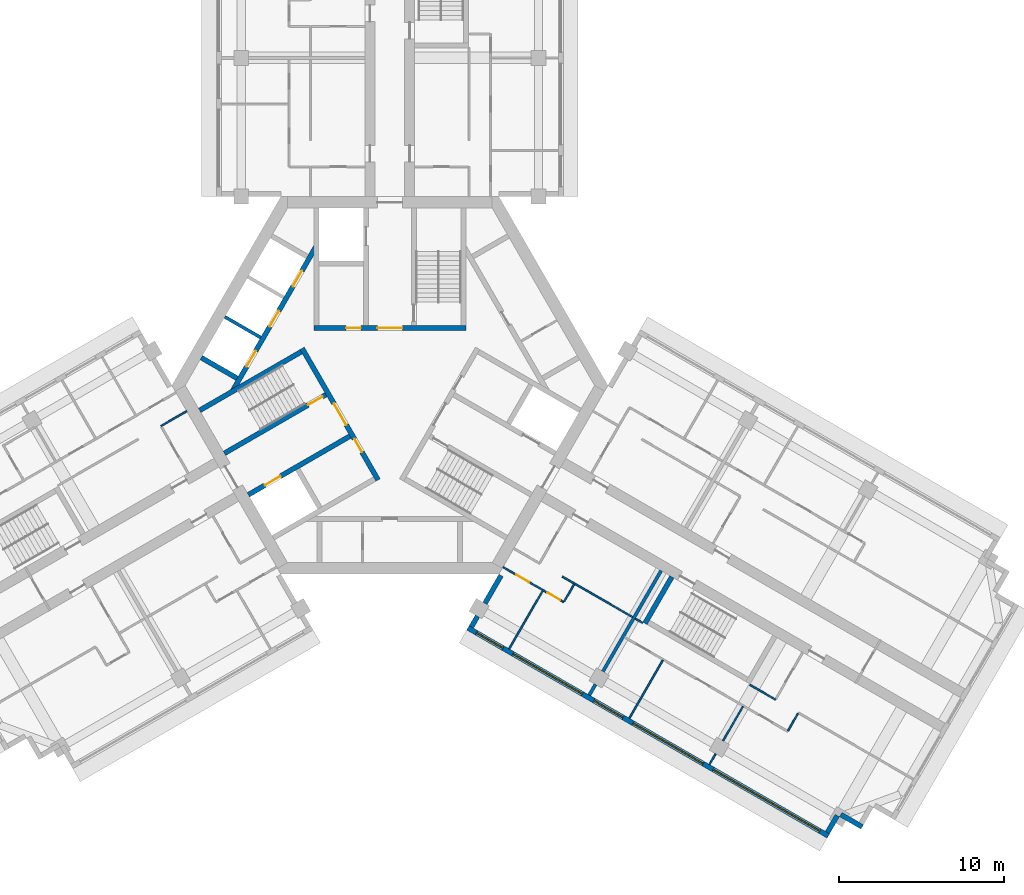
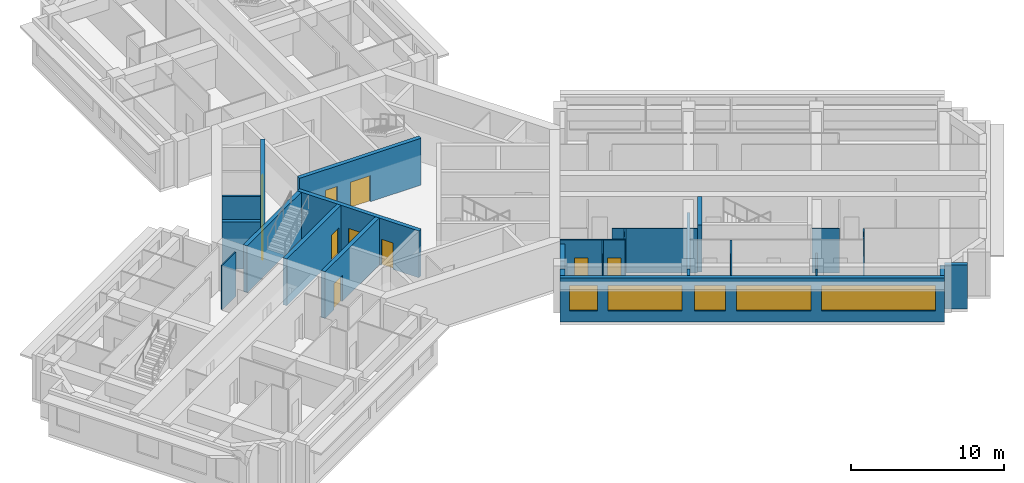
# One storey, part 4 of 10: 27 walls, 11 doors, 5 windows, 16 openings.
"""IFC4 building model written with IfcOpenShell, lengths in metres."""

import ifcopenshell
import ifcopenshell.guid

model = None  # the IFC model being written
_history = None  # IfcOwnerHistory: only IFC2X3 demands one
_inside = {}  # id of a spatial element -> (the spatial element, [elements in it])
_under = {}  # id of a project, library or spatial element -> (it, [spatial elements below it])
_declared = {}  # id of a project -> (the project, [libraries it declares])
_typed = {}  # id of a type object -> (the type object, [elements of that type])
_made_of = {}  # id of a material, layer set ... -> (it, [elements and type objects made of it])


def new_model(schema):
    """Start an empty IFC model of exactly this schema.

    Asked for "IFC4X3", IfcOpenShell would pick the latest addendum, in which some entities
    have other attributes; the version numbers below select the first issue.
    IFC2X3 requires an IfcOwnerHistory on every rooted entity: one is made here for all.
    """
    global model, _history
    if schema == "IFC4X3":
        model = ifcopenshell.file(schema_version=(4, 3, 0, 0))
    else:
        model = ifcopenshell.file(schema=schema)
    _inside.clear()
    _under.clear()
    _declared.clear()
    _typed.clear()
    _made_of.clear()
    _history = None
    if model.schema == "IFC2X3":
        org = make("IfcOrganization", Name="unknown")
        user = make(
            "IfcPersonAndOrganization",
            ThePerson=make("IfcPerson", FamilyName="unknown"),
            TheOrganization=org,
        )
        app = make(
            "IfcApplication",
            ApplicationDeveloper=org,
            Version="unknown",
            ApplicationFullName="unknown",
            ApplicationIdentifier="unknown",
        )
        _history = make(
            "IfcOwnerHistory",
            OwningUser=user,
            OwningApplication=app,
            ChangeAction="ADDED",
            CreationDate=0,
        )
    return model


def make(cls, **values):
    """One entity of the class cls with the attributes given. An attribute that is None is left unset."""
    return model.create_entity(
        cls, **{name: value for name, value in values.items() if value is not None}
    )


def rooted(cls, **values):
    """An entity with a GlobalId (a new one), such as an element, a storey or a relation."""
    return make(cls, GlobalId=ifcopenshell.guid.new(), OwnerHistory=_history, **values)


def si_unit(unit_type, name, prefix=None):
    """IfcSIUnit, for example si_unit("LENGTHUNIT", "METRE", prefix="MILLI")."""
    return make("IfcSIUnit", UnitType=unit_type, Prefix=prefix, Name=name)


def assignment(units):
    """IfcUnitAssignment: the units of a project."""
    return None if units is None else make("IfcUnitAssignment", Units=units)


def point(xyz):
    """IfcCartesianPoint."""
    return None if xyz is None else make("IfcCartesianPoint", Coordinates=xyz)


def direction(xyz):
    """IfcDirection."""
    return None if xyz is None else make("IfcDirection", DirectionRatios=xyz)


def frame(location, z_axis=None, x_axis=None):
    """IfcAxis2Placement3D, a coordinate frame: its origin and axes. An axis left out is left unset."""
    return make(
        "IfcAxis2Placement3D",
        Location=point(location),
        Axis=direction(z_axis),
        RefDirection=direction(x_axis),
    )


def frame_2d(location, x_axis=None):
    """IfcAxis2Placement2D, a coordinate frame in the plane: its origin and x axis."""
    return make(
        "IfcAxis2Placement2D", Location=point(location), RefDirection=direction(x_axis)
    )


def origin():
    """The frame at (0, 0, 0) with its axes left unset."""
    return frame((0.0, 0.0, 0.0))


def place(relative_to, where):
    """IfcLocalPlacement: puts the frame where relative to a parent placement (None: the world)."""
    return make(
        "IfcLocalPlacement", PlacementRelTo=relative_to, RelativePlacement=where
    )


def context(
    kind, dimensions, precision=None, world=None, true_north=None, identifier=None
):
    """IfcGeometricRepresentationContext, for example the 3D "Model" context."""
    return make(
        "IfcGeometricRepresentationContext",
        ContextIdentifier=identifier,
        ContextType=kind,
        CoordinateSpaceDimension=dimensions,
        Precision=precision,
        WorldCoordinateSystem=world,
        TrueNorth=true_north,
    )


def subcontext(parent, identifier, kind, view, scale=None):
    """IfcGeometricRepresentationSubContext, for example "Body" below "Model"."""
    return make(
        "IfcGeometricRepresentationSubContext",
        ContextIdentifier=identifier,
        ContextType=kind,
        ParentContext=parent,
        TargetScale=scale,
        TargetView=view,
    )


def project(units=None, contexts=None):
    """IfcProject with its units and contexts."""
    return rooted(
        "IfcProject",
        Name="project",
        RepresentationContexts=contexts,
        UnitsInContext=assignment(units),
    )


def spatial(cls, under=None, at=None, **own):
    """A site, building, storey or space (cls), placed at a placement, below another one or the project."""
    s = rooted(cls, ObjectPlacement=at, **own)
    if under is not None:
        _under.setdefault(under.id(), (under, []))[1].append(s)
    return s


def profile(cls, at=None, kind="AREA", **sizes):
    """A parametric profile (cls). Its sizes go by their IFC names, for example OverallWidth=200.0."""
    return make(cls, ProfileType=kind, Position=at, **sizes)


def rectangle(**sizes):
    """IfcRectangleProfileDef."""
    return profile("IfcRectangleProfileDef", **sizes)


def extrude(swept, where, along, depth):
    """IfcExtrudedAreaSolid: the profile swept, set in the frame where, extruded along a direction by depth."""
    return make(
        "IfcExtrudedAreaSolid",
        SweptArea=swept,
        Position=where,
        ExtrudedDirection=direction(along),
        Depth=depth,
    )


def shape(context_of_items, identifier, shape_type, items):
    """IfcShapeRepresentation: the items that make up one representation, for example the "Body"."""
    return make(
        "IfcShapeRepresentation",
        ContextOfItems=context_of_items,
        RepresentationIdentifier=identifier,
        RepresentationType=shape_type,
        Items=items,
    )


def material(Name=None, Category=None):
    """IfcMaterial."""
    return make("IfcMaterial", Name=Name, Category=Category)


def layer(
    of_material, thickness, ventilated=None, Name=None, Category=None, Priority=None
):
    """IfcMaterialLayer: one layer of a wall or slab, of a material (None: an air gap)."""
    return make(
        "IfcMaterialLayer",
        Material=of_material,
        LayerThickness=thickness,
        IsVentilated=ventilated,
        Name=Name,
        Category=Category,
        Priority=Priority,
    )


def layer_set(layers, Name=None):
    """IfcMaterialLayerSet."""
    return make("IfcMaterialLayerSet", MaterialLayers=layers, LayerSetName=Name)


def made_of(thing, what):
    """Note that an element or type object is made of a material, layer set ...; save() writes the relation."""
    if what is not None:
        _made_of.setdefault(what.id(), (what, []))[1].append(thing)
    return thing


def type_object(cls, material=None, **own):
    """A type object (cls), such as IfcWallType, which elements share."""
    return made_of(rooted(cls, **own), material)


def element(
    cls,
    number,
    at=None,
    inside=None,
    cuts=None,
    type_object=None,
    material=None,
    context=None,
    identifier="Body",
    shape_type=None,
    held_by="IfcProductDefinitionShape",
    body=None,
    shapes=None,
    **own,
):
    """One element of the class cls, such as IfcWall. Its Tag is "e" and its number.

    at: its placement. inside: the storey or other place that contains it. cuts: it is an
    opening in that element (IfcRelVoidsElement). A single representation is given by context,
    identifier, shape_type and body (its items); several are given by shapes. held_by: the class
    of the entity that holds the representations. save() writes the other relations.
    """
    e = rooted(cls, Tag="e%d" % number, ObjectPlacement=at, **own)
    if body is not None:
        shapes = [shape(context, identifier, shape_type, body)]
    if shapes is not None:
        e.Representation = make(held_by, Representations=shapes)
    if inside is not None:
        _inside.setdefault(inside.id(), (inside, []))[1].append(e)
    if cuts is not None:
        rooted(
            "IfcRelVoidsElement", RelatingBuildingElement=cuts, RelatedOpeningElement=e
        )
    if type_object is not None:
        _typed.setdefault(type_object.id(), (type_object, []))[1].append(e)
    return made_of(e, material)


def fill(opening, filler):
    """IfcRelFillsElement: the door or window that sits in an opening."""
    return rooted(
        "IfcRelFillsElement",
        RelatingOpeningElement=opening,
        RelatedBuildingElement=filler,
    )


def aggregate(whole, parts):
    """IfcRelAggregates: a whole, such as a stair, and the parts it consists of."""
    return rooted("IfcRelAggregates", RelatingObject=whole, RelatedObjects=parts)


def save(model, path):
    """Write the relations noted so far, then the file.

    IfcRelAggregates (storeys below a building ...), IfcRelContainedInSpatialStructure (elements
    in a storey), IfcRelDefinesByType, IfcRelAssociatesMaterial and IfcRelDeclares: one each for
    every whole, place, type object, material and project.
    """
    for whole, parts in _under.values():
        aggregate(whole, parts)
    for where, things in _inside.values():
        rooted(
            "IfcRelContainedInSpatialStructure",
            RelatedElements=things,
            RelatingStructure=where,
        )
    for kind, things in _typed.values():
        rooted("IfcRelDefinesByType", RelatedObjects=things, RelatingType=kind)
    for what, things in _made_of.values():
        rooted("IfcRelAssociatesMaterial", RelatedObjects=things, RelatingMaterial=what)
    for by, libraries in _declared.values():
        rooted("IfcRelDeclares", RelatingContext=by, RelatedDefinitions=libraries)
    model.write(path)


model = new_model("IFC4")

# Units and contexts
model_context = context("Model", 3, precision=1e-05, world=origin(), true_north=direction((0.0, 1.0)))
body_context = subcontext(model_context, "Body", "Model", "MODEL_VIEW")
ifc_project = project(units=[si_unit("LENGTHUNIT", "METRE"), si_unit("AREAUNIT", "SQUARE_METRE"), si_unit("VOLUMEUNIT", "CUBIC_METRE"), si_unit("PLANEANGLEUNIT", "RADIAN"), si_unit("MASSUNIT", "GRAM", prefix="KILO")], contexts=[model_context])

# Site, building, storey
site_placement = place(None, origin())
site = spatial("IfcSite", under=ifc_project, at=site_placement, CompositionType="ELEMENT")
building_placement = place(site_placement, origin())
building = spatial("IfcBuilding", under=site, at=building_placement, Name="Impinga Residences", CompositionType="ELEMENT")
storey_placement = place(building_placement, frame((0.0, 0.0, 222.25)))
storey = spatial("IfcBuildingStorey", under=building, at=storey_placement, Name="L55", CompositionType="ELEMENT", Elevation=222.25)

# Walls
ifc_material_1 = material(Name="Terracotta rainscreen on blockwork", Category="masonry")
ifc_layer_1 = layer(ifc_material_1, 0.300048828125)
ifc_layer_set_1 = layer_set([ifc_layer_1], Name="EW1 external wall, terracotta rainscreen on blockwork 300")
wall_type_1 = type_object("IfcWallType", Name="EW1 external wall, terracotta rainscreen on blockwork 300", PredefinedType="SOLIDWALL", material=ifc_layer_set_1)
wall_1_placement = place(storey_placement, frame((28.597900390625, -26.72998046875, 0.0), z_axis=(0.0, 0.0, 1.0), x_axis=(-0.866031096941, 0.499990139034, 0.0)))
element("IfcWall", 1, at=wall_1_placement, inside=storey, type_object=wall_type_1, Name="External wall EW1 L55", PredefinedType="SOLIDWALL", context=body_context, shape_type="SweptSolid", body=[
    extrude(rectangle(XDim=1.5, YDim=0.300048828125, at=frame_2d((0.75, 0.0))), origin(), (0.0, 0.0, 1.0), 3.530029296875),
])
wall_2_placement = place(storey_placement, frame((27.091552734375, -26.039306640625, 0.0), z_axis=(0.0, 0.0, 1.0), x_axis=(-0.500093796661, -0.865971243484, 0.0)))
element("IfcWall", 2, at=wall_2_placement, inside=storey, type_object=wall_type_1, Name="External wall EW1 L55", PredefinedType="SOLIDWALL", context=body_context, shape_type="SweptSolid", body=[
    extrude(rectangle(XDim=1.195068359375, YDim=0.300048828125, at=frame_2d((0.59765625, 0.0))), origin(), (0.0, 0.0, 1.0), 3.530029296875),
])

# Wall, openings, windows
wall_3_placement = place(storey_placement, frame((26.548828125, -27.279052734375, 0.0), z_axis=(0.0, 0.0, 1.0), x_axis=(-0.866026832479, 0.499997525421, 0.0)))
wall_3 = element("IfcWall", 3, at=wall_3_placement, inside=storey, type_object=wall_type_1, Name="External wall EW1 L55", PredefinedType="SOLIDWALL", context=body_context, shape_type="SweptSolid", body=[
    extrude(rectangle(XDim=25.199951171875, YDim=0.300048828125, at=frame_2d((12.60009765625, 0.0))), origin(), (0.0, 0.0, 1.0), 3.530029296875),
])
opening_1_placement = place(wall_3_placement, frame((0.60009765625, 0.0, 0.89990234375)))
opening_1 = element("IfcOpeningElement", 4, at=opening_1_placement, cuts=wall_3, Name="Opening W7", PredefinedType="OPENING", context=body_context, shape_type="SweptSolid", body=[
    extrude(rectangle(XDim=7.449951171875, YDim=2.050048828125, at=frame_2d((3.72509765625, 1.02490234375))), frame((0.0, 0.159912109375, 0.0), z_axis=(0.0, -1.0, 0.0), x_axis=(1.0, 0.0, 0.0)), (0.0, 0.0, 1.0), 0.320068359375),
])
opening_2_placement = place(wall_3_placement, frame((8.75, 0.0, 0.89990234375)))
opening_2 = element("IfcOpeningElement", 5, at=opening_2_placement, cuts=wall_3, Name="Opening W16", PredefinedType="OPENING", context=body_context, shape_type="SweptSolid", body=[
    extrude(rectangle(XDim=4.89990234375, YDim=2.050048828125, at=frame_2d((2.449951171875, 1.02490234375))), frame((0.0, 0.159912109375, 0.0), z_axis=(0.0, -1.0, 0.0), x_axis=(1.0, 0.0, 0.0)), (0.0, 0.0, 1.0), 0.320068359375),
])
opening_3_placement = place(wall_3_placement, frame((14.35009765625, 0.0, 0.89990234375)))
opening_3 = element("IfcOpeningElement", 6, at=opening_3_placement, cuts=wall_3, Name="Opening W14", PredefinedType="OPENING", context=body_context, shape_type="SweptSolid", body=[
    extrude(rectangle(XDim=2.050048828125, YDim=2.050048828125, at=frame_2d((1.02490234375, 1.02490234375))), frame((0.0, 0.159912109375, 0.0), z_axis=(0.0, -1.0, 0.0), x_axis=(1.0, 0.0, 0.0)), (0.0, 0.0, 1.0), 0.320068359375),
])
opening_4_placement = place(wall_3_placement, frame((17.199951171875, 0.0, 0.89990234375)))
opening_4 = element("IfcOpeningElement", 7, at=opening_4_placement, cuts=wall_3, Name="Opening W6", PredefinedType="OPENING", context=body_context, shape_type="SweptSolid", body=[
    extrude(rectangle(XDim=4.85009765625, YDim=2.050048828125, at=frame_2d((2.425048828125, 1.02490234375))), frame((0.0, 0.159912109375, 0.0), z_axis=(0.0, -1.0, 0.0), x_axis=(1.0, 0.0, 0.0)), (0.0, 0.0, 1.0), 0.320068359375),
])
opening_5_placement = place(wall_3_placement, frame((22.75, 0.0, 0.89990234375)))
opening_5 = element("IfcOpeningElement", 8, at=opening_5_placement, cuts=wall_3, Name="Opening W15", PredefinedType="OPENING", context=body_context, shape_type="SweptSolid", body=[
    extrude(rectangle(XDim=1.85009765625, YDim=2.050048828125, at=frame_2d((0.925048828125, 1.02490234375))), frame((0.0, 0.159912109375, 0.0), z_axis=(0.0, -1.0, 0.0), x_axis=(1.0, 0.0, 0.0)), (0.0, 0.0, 1.0), 0.320068359375),
])
ifc_material_2 = material(Name="Aluminium window, clear double glazing", Category="aluminium")
window_type_1 = type_object("IfcWindowType", Name="W14 ribbon window 2050x2050", PartitioningType="SINGLE_PANEL", PredefinedType="WINDOW", material=ifc_material_2)
window_1_placement = place(opening_3_placement, origin())
window_1 = element("IfcWindow", 9, at=window_1_placement, inside=storey, type_object=window_type_1, Name="Window L55", OverallHeight=2.050048828125, OverallWidth=2.050048828125, PartitioningType="SINGLE_PANEL", PredefinedType="WINDOW", context=body_context, shape_type="SweptSolid", body=[
    extrude(rectangle(XDim=2.050048828125, YDim=2.050048828125, at=frame_2d((1.02490234375, 1.02490234375))), frame((0.0, 0.030029296875, 0.0), z_axis=(0.0, -1.0, 0.0), x_axis=(1.0, 0.0, 0.0)), (0.0, 0.0, 1.0), 0.06005859375),
])
fill(opening_3, window_1)
window_type_2 = type_object("IfcWindowType", Name="W15 ribbon window 1850x2050", PartitioningType="SINGLE_PANEL", PredefinedType="WINDOW", material=ifc_material_2)
window_2_placement = place(opening_5_placement, origin())
window_2 = element("IfcWindow", 10, at=window_2_placement, inside=storey, type_object=window_type_2, Name="Window L55", OverallHeight=2.050048828125, OverallWidth=1.85009765625, PartitioningType="SINGLE_PANEL", PredefinedType="WINDOW", context=body_context, shape_type="SweptSolid", body=[
    extrude(rectangle(XDim=1.85009765625, YDim=2.050048828125, at=frame_2d((0.925048828125, 1.02490234375))), frame((0.0, 0.030029296875, 0.0), z_axis=(0.0, -1.0, 0.0), x_axis=(1.0, 0.0, 0.0)), (0.0, 0.0, 1.0), 0.06005859375),
])
fill(opening_5, window_2)
window_type_3 = type_object("IfcWindowType", Name="W16 ribbon window 4900x2050", PartitioningType="SINGLE_PANEL", PredefinedType="WINDOW", material=ifc_material_2)
window_3_placement = place(opening_2_placement, origin())
window_3 = element("IfcWindow", 11, at=window_3_placement, inside=storey, type_object=window_type_3, Name="Window L55", OverallHeight=2.050048828125, OverallWidth=4.89990234375, PartitioningType="SINGLE_PANEL", PredefinedType="WINDOW", context=body_context, shape_type="SweptSolid", body=[
    extrude(rectangle(XDim=4.89990234375, YDim=2.050048828125, at=frame_2d((2.449951171875, 1.02490234375))), frame((0.0, 0.030029296875, 0.0), z_axis=(0.0, -1.0, 0.0), x_axis=(1.0, 0.0, 0.0)), (0.0, 0.0, 1.0), 0.06005859375),
])
fill(opening_2, window_3)
window_type_4 = type_object("IfcWindowType", Name="W6 ribbon window 4850x2050", PartitioningType="SINGLE_PANEL", PredefinedType="WINDOW", material=ifc_material_2)
window_4_placement = place(opening_4_placement, origin())
window_4 = element("IfcWindow", 12, at=window_4_placement, inside=storey, type_object=window_type_4, Name="Window L55", OverallHeight=2.050048828125, OverallWidth=4.85009765625, PartitioningType="SINGLE_PANEL", PredefinedType="WINDOW", context=body_context, shape_type="SweptSolid", body=[
    extrude(rectangle(XDim=4.85009765625, YDim=2.050048828125, at=frame_2d((2.425048828125, 1.02490234375))), frame((0.0, 0.030029296875, 0.0), z_axis=(0.0, -1.0, 0.0), x_axis=(1.0, 0.0, 0.0)), (0.0, 0.0, 1.0), 0.06005859375),
])
fill(opening_4, window_4)
window_type_5 = type_object("IfcWindowType", Name="W7 ribbon window 7450x2050", PartitioningType="SINGLE_PANEL", PredefinedType="WINDOW", material=ifc_material_2)
window_5_placement = place(opening_1_placement, origin())
window_5 = element("IfcWindow", 13, at=window_5_placement, inside=storey, type_object=window_type_5, Name="Window L55", OverallHeight=2.050048828125, OverallWidth=7.449951171875, PartitioningType="SINGLE_PANEL", PredefinedType="WINDOW", context=body_context, shape_type="SweptSolid", body=[
    extrude(rectangle(XDim=7.449951171875, YDim=2.050048828125, at=frame_2d((3.72509765625, 1.02490234375))), frame((0.0, 0.030029296875, 0.0), z_axis=(0.0, -1.0, 0.0), x_axis=(1.0, 0.0, 0.0)), (0.0, 0.0, 1.0), 0.06005859375),
])
fill(opening_1, window_5)

# Walls
wall_4_placement = place(storey_placement, frame((4.929931640625, -14.624267578125, 0.0), z_axis=(0.0, 0.0, 1.0), x_axis=(0.499919672301, 0.866071776036, 0.0)))
element("IfcWall", 14, at=wall_4_placement, inside=storey, type_object=wall_type_1, Name="External wall EW1 L55", PredefinedType="SOLIDWALL", context=body_context, shape_type="SweptSolid", body=[
    extrude(rectangle(XDim=0.75, YDim=0.300048828125, at=frame_2d((0.375, 0.0))), origin(), (0.0, 0.0, 1.0), 3.530029296875),
])
wall_5_placement = place(storey_placement, frame((5.7548828125, -13.1953125, 0.0), z_axis=(0.0, 0.0, 1.0), x_axis=(0.500043961785, 0.866000020948, 0.0)))
element("IfcWall", 15, at=wall_5_placement, inside=storey, type_object=wall_type_1, Name="External wall EW1 L55", PredefinedType="SOLIDWALL", context=body_context, shape_type="SweptSolid", body=[
    extrude(rectangle(XDim=1.949951171875, YDim=0.300048828125, at=frame_2d((0.97509765625, 0.0))), origin(), (0.0, 0.0, 1.0), 3.530029296875),
])
ifc_material_3 = material(Name="Gypsum board on steel studs", Category="steel")
ifc_layer_2 = layer(ifc_material_3, 0.10009765625)
ifc_layer_set_2 = layer_set([ifc_layer_2], Name="Gypsum board on steel studs")
wall_type_2 = type_object("IfcWallType", Name="IP1 partition 100", PredefinedType="PARTITIONING", material=ifc_layer_set_2)
wall_6_placement = place(storey_placement, frame((-12.300048828125, -1.558837890625, 0.0), z_axis=(0.0, 0.0, 1.0), x_axis=(-0.866047807691, -0.499961193289, 0.0)))
element("IfcWall", 16, at=wall_6_placement, inside=storey, type_object=wall_type_2, Name="Partition L55-WF1:DIV0", PredefinedType="PARTITIONING", context=body_context, shape_type="SweptSolid", body=[
    extrude(rectangle(XDim=1.800048828125, YDim=0.10009765625, at=frame_2d((0.89990234375, 0.0))), origin(), (0.0, 0.0, 1.0), 3.530029296875),
])
wall_7_placement = place(storey_placement, frame((10.444580078125, -11.57275390625, 0.0), z_axis=(0.0, 0.0, 1.0), x_axis=(0.866023786258, -0.500002801628, 0.0)))
element("IfcWall", 17, at=wall_7_placement, inside=storey, type_object=wall_type_2, Name="Partition L55-EF1:DIV1", PredefinedType="PARTITIONING", context=body_context, shape_type="SweptSolid", body=[
    extrude(rectangle(XDim=4.89990234375, YDim=0.10009765625, at=frame_2d((2.449951171875, 0.0))), origin(), (0.0, 0.0, 1.0), 3.530029296875),
])

# Wall, openings, doors
wall_8_placement = place(storey_placement, frame((6.85009765625, -10.99853515625, 0.0), z_axis=(0.0, 0.0, 1.0), x_axis=(0.866014341725, -0.50001915956, 0.0)))
wall_8 = element("IfcWall", 18, at=wall_8_placement, inside=storey, type_object=wall_type_2, Name="Partition L55-EF1:STRIP", PredefinedType="PARTITIONING", context=body_context, shape_type="SweptSolid", body=[
    extrude(rectangle(XDim=4.249755859375, YDim=0.10009765625, at=frame_2d((2.125, 0.0))), origin(), (0.0, 0.0, 1.0), 3.530029296875),
])
opening_6_placement = place(wall_8_placement, frame((0.925048828125, 0.0, 0.0)))
opening_6 = element("IfcOpeningElement", 19, at=opening_6_placement, cuts=wall_8, Name="Opening D2", PredefinedType="OPENING", context=body_context, shape_type="SweptSolid", body=[
    extrude(rectangle(XDim=0.89990234375, YDim=2.10009765625, at=frame_2d((0.449951171875, 1.050048828125))), frame((0.0, 0.06005859375, 0.0), z_axis=(0.0, -1.0, 0.0), x_axis=(1.0, 0.0, 0.0)), (0.0, 0.0, 1.0), 0.1201171875),
])
opening_7_placement = place(wall_8_placement, frame((3.10009765625, 0.0, 0.0)))
opening_7 = element("IfcOpeningElement", 20, at=opening_7_placement, cuts=wall_8, Name="Opening D2", PredefinedType="OPENING", context=body_context, shape_type="SweptSolid", body=[
    extrude(rectangle(XDim=0.89990234375, YDim=2.10009765625, at=frame_2d((0.449951171875, 1.050048828125))), frame((0.0, 0.06005859375, 0.0), z_axis=(0.0, -1.0, 0.0), x_axis=(1.0, 0.0, 0.0)), (0.0, 0.0, 1.0), 0.1201171875),
])
ifc_material_4 = material(Name="Timber door set", Category="wood")
door_type_1 = type_object("IfcDoorType", Name="D2 internal door 900x2100", OperationType="SINGLE_SWING_LEFT", PredefinedType="DOOR", material=ifc_material_4)
door_1_placement = place(opening_6_placement, origin())
door_1 = element("IfcDoor", 21, at=door_1_placement, inside=storey, type_object=door_type_1, Name="Apartment L55-EF1 room door", OperationType="SINGLE_SWING_LEFT", OverallHeight=2.10009765625, OverallWidth=0.89990234375, PredefinedType="DOOR", context=body_context, shape_type="SweptSolid", body=[
    extrude(rectangle(XDim=0.89990234375, YDim=2.10009765625, at=frame_2d((0.449951171875, 1.050048828125))), frame((0.0, 0.02490234375, 0.0), z_axis=(0.0, -1.0, 0.0), x_axis=(1.0, 0.0, 0.0)), (0.0, 0.0, 1.0), 0.050048828125),
])
fill(opening_6, door_1)
door_2_placement = place(opening_7_placement, origin())
door_2 = element("IfcDoor", 22, at=door_2_placement, inside=storey, type_object=door_type_1, Name="Apartment L55-EF1 room door", OperationType="SINGLE_SWING_RIGHT", OverallHeight=2.10009765625, OverallWidth=0.89990234375, PredefinedType="DOOR", context=body_context, shape_type="SweptSolid", body=[
    extrude(rectangle(XDim=0.89990234375, YDim=2.10009765625, at=frame_2d((0.449951171875, 1.050048828125))), frame((0.0, 0.02490234375, 0.0), z_axis=(0.0, -1.0, 0.0), x_axis=(1.0, 0.0, 0.0)), (0.0, 0.0, 1.0), 0.050048828125),
])
fill(opening_7, door_2)

# Walls
wall_9_placement = place(storey_placement, frame((11.155517578125, -12.041015625, 0.0), z_axis=(0.0, 0.0, 1.0), x_axis=(-0.499880961361, -0.866094119867, 0.0)))
element("IfcWall", 23, at=wall_9_placement, inside=storey, type_object=wall_type_2, Name="Partition L55-EF1:SE1", PredefinedType="PARTITIONING", context=body_context, shape_type="SweptSolid", body=[
    extrude(rectangle(XDim=1.199951171875, YDim=0.10009765625, at=frame_2d((0.60009765625, 0.0))), origin(), (0.0, 0.0, 1.0), 3.530029296875),
])
wall_10_placement = place(storey_placement, frame((9.249755859375, -12.44189453125, 0.0), z_axis=(0.0, 0.0, 1.0), x_axis=(-0.499990325971, -0.866030989016, 0.0)))
element("IfcWall", 24, at=wall_10_placement, inside=storey, type_object=wall_type_2, Name="Partition L55-EF1:OB1", PredefinedType="PARTITIONING", context=body_context, shape_type="SweptSolid", body=[
    extrude(rectangle(XDim=4.0498046875, YDim=0.10009765625, at=frame_2d((2.02490234375, 0.0))), origin(), (0.0, 0.0, 1.0), 3.530029296875),
])
wall_11_placement = place(storey_placement, frame((14.861328125, -14.122802734375, 0.0), z_axis=(0.0, 0.0, 1.0), x_axis=(0.865949687125, -0.500131122175, 0.0)))
element("IfcWall", 25, at=wall_11_placement, inside=storey, type_object=wall_type_2, Name="Partition L55-EF2:DIV0", PredefinedType="PARTITIONING", context=body_context, shape_type="SweptSolid", body=[
    extrude(rectangle(XDim=0.499755859375, YDim=0.10009765625, at=frame_2d((0.25, 0.0))), origin(), (0.0, 0.0, 1.0), 3.530029296875),
])
wall_12_placement = place(storey_placement, frame((21.789306640625, -18.122802734375, 0.0), z_axis=(0.0, 0.0, 1.0), x_axis=(0.866047807691, -0.499961193289, 0.0)))
element("IfcWall", 26, at=wall_12_placement, inside=storey, type_object=wall_type_2, Name="Partition L55-EF2:DIV1", PredefinedType="PARTITIONING", context=body_context, shape_type="SweptSolid", body=[
    extrude(rectangle(XDim=1.800048828125, YDim=0.10009765625, at=frame_2d((0.89990234375, 0.0))), origin(), (0.0, 0.0, 1.0), 3.530029296875),
])
wall_13_placement = place(storey_placement, frame((24.708984375, -19.865966796875, 0.0), z_axis=(0.0, 0.0, 1.0), x_axis=(-0.500033551112, -0.866006032174, 0.0)))
element("IfcWall", 27, at=wall_13_placement, inside=storey, type_object=wall_type_2, Name="Partition L55-EF2:SE1", PredefinedType="PARTITIONING", context=body_context, shape_type="SweptSolid", body=[
    extrude(rectangle(XDim=1.2001953125, YDim=0.10009765625, at=frame_2d((0.60009765625, 0.0))), origin(), (0.0, 0.0, 1.0), 3.530029296875),
])
wall_14_placement = place(storey_placement, frame((16.5244140625, -16.641845703125, 0.0), z_axis=(0.0, 0.0, 1.0), x_axis=(-0.499990325971, -0.866030989016, 0.0)))
element("IfcWall", 28, at=wall_14_placement, inside=storey, type_object=wall_type_2, Name="Partition L55-EF2:OB1", PredefinedType="PARTITIONING", context=body_context, shape_type="SweptSolid", body=[
    extrude(rectangle(XDim=4.0498046875, YDim=0.10009765625, at=frame_2d((2.02490234375, 0.0))), origin(), (0.0, 0.0, 1.0), 3.530029296875),
])
wall_15_placement = place(storey_placement, frame((21.374267578125, -19.44189453125, 0.0), z_axis=(0.0, 0.0, 1.0), x_axis=(-0.500001309137, -0.866024647952, 0.0)))
element("IfcWall", 29, at=wall_15_placement, inside=storey, type_object=wall_type_2, Name="Partition L55-EF2:OB2", PredefinedType="PARTITIONING", context=body_context, shape_type="SweptSolid", body=[
    extrude(rectangle(XDim=2.39990234375, YDim=0.10009765625, at=frame_2d((1.199951171875, 0.0))), origin(), (0.0, 0.0, 1.0), 2.47998046875),
])
wall_16_placement = place(storey_placement, frame((19.72412109375, -22.2998046875, 0.0), z_axis=(0.0, 0.0, 1.0), x_axis=(-0.500060622324, -0.86599040064, 0.0)))
element("IfcWall", 30, at=wall_16_placement, inside=storey, type_object=wall_type_2, Name="Partition L55-EF2:OB2b", PredefinedType="PARTITIONING", context=body_context, shape_type="SweptSolid", body=[
    extrude(rectangle(XDim=0.75, YDim=0.10009765625, at=frame_2d((0.375, 0.0))), origin(), (0.0, 0.0, 1.0), 3.530029296875),
])
ifc_material_5 = material(Name="Concrete blockwork", Category="masonry")
ifc_layer_3 = layer(ifc_material_5, 0.199951171875)
ifc_layer_set_3 = layer_set([ifc_layer_3], Name="PW1 party wall between apartments 200")
wall_type_3 = type_object("IfcWallType", Name="PW1 party wall between apartments 200", PredefinedType="SOLIDWALL", material=ifc_layer_set_3)
wall_17_placement = place(storey_placement, frame((16.424560546875, -11.21484375, 0.0), z_axis=(0.0, 0.0, 1.0), x_axis=(-0.499990246421, -0.866031034943, 0.0)))
element("IfcWall", 31, at=wall_17_placement, inside=storey, type_object=wall_type_3, Name="Party wall between apartments L55-EF1:PARTY", PredefinedType="SOLIDWALL", context=body_context, shape_type="SweptSolid", body=[
    extrude(rectangle(XDim=7.050048828125, YDim=0.199951171875, at=frame_2d((3.52490234375, 0.0))), origin(), (0.0, 0.0, 1.0), 2.47998046875),
])
wall_18_placement = place(storey_placement, frame((12.44970703125, -18.099609375, 0.0), z_axis=(0.0, 0.0, 1.0), x_axis=(-0.499919672301, -0.866071776036, 0.0)))
element("IfcWall", 32, at=wall_18_placement, inside=storey, type_object=wall_type_3, Name="Party wall between apartments L55-EF1:PARTYb", PredefinedType="SOLIDWALL", context=body_context, shape_type="SweptSolid", body=[
    extrude(rectangle(XDim=0.75, YDim=0.199951171875, at=frame_2d((0.375, 0.0))), origin(), (0.0, 0.0, 1.0), 3.530029296875),
])
ifc_material_6 = material(Name="Concrete C60/75", Category="concrete")
ifc_layer_4 = layer(ifc_material_6, 0.300048828125)
ifc_layer_set_4 = layer_set([ifc_layer_4], Name="Concrete C60/75")
wall_type_4 = type_object("IfcWallType", Name="SE1 wing stair enclosure wall 300", PredefinedType="SOLIDWALL", material=ifc_layer_set_4)
wall_19_placement = place(storey_placement, frame((17.07421875, -11.58984375, 0.0), z_axis=(0.0, 0.0, 1.0), x_axis=(-0.500017246033, -0.866015446554, 0.0)))
element("IfcWall", 33, at=wall_19_placement, inside=storey, type_object=wall_type_4, Name="Stair enclosure wall SE1 E END0 L55", PredefinedType="SOLIDWALL", context=body_context, shape_type="SweptSolid", body=[
    extrude(rectangle(XDim=3.25, YDim=0.300048828125, at=frame_2d((1.625, 0.0))), origin(), (0.0, 0.0, 1.0), 3.75),
])

# Wall, openings, doors
ifc_material_7 = material(Name="Concrete C70/85", Category="concrete")
ifc_layer_5 = layer(ifc_material_7, 0.300048828125)
ifc_layer_set_5 = layer_set([ifc_layer_5], Name="Concrete C70/85")
wall_type_5 = type_object("IfcWallType", Name="SW5 core inner wall, stairs, shafts and lobbies 300", PredefinedType="SHEAR", material=ifc_layer_set_5)
wall_20_placement = place(storey_placement, frame((-4.60009765625, 3.47998046875, 0.0), z_axis=(0.0, 0.0, 1.0), x_axis=(1.0, 0.0, 0.0)))
wall_20 = element("IfcWall", 34, at=wall_20_placement, inside=storey, type_object=wall_type_5, Name="Core wall SW5 N:ZONE L55", PredefinedType="SHEAR", context=body_context, shape_type="SweptSolid", body=[
    extrude(rectangle(XDim=9.2001953125, YDim=0.300048828125, at=frame_2d((4.60009765625, 0.0))), origin(), (0.0, 0.0, 1.0), 3.75),
])
opening_8_placement = place(wall_20_placement, frame((3.85009765625, 0.0, 0.0)))
opening_8 = element("IfcOpeningElement", 35, at=opening_8_placement, cuts=wall_20, Name="Opening D4", PredefinedType="OPENING", context=body_context, shape_type="SweptSolid", body=[
    extrude(rectangle(XDim=1.5, YDim=2.10009765625, at=frame_2d((0.75, 1.050048828125))), frame((0.0, 0.159912109375, 0.0), z_axis=(0.0, -1.0, 0.0), x_axis=(1.0, 0.0, 0.0)), (0.0, 0.0, 1.0), 0.320068359375),
])
opening_9_placement = place(wall_20_placement, frame((1.949951171875, 0.0, 0.0)))
opening_9 = element("IfcOpeningElement", 36, at=opening_9_placement, cuts=wall_20, Name="Opening D6", PredefinedType="OPENING", context=body_context, shape_type="SweptSolid", body=[
    extrude(rectangle(XDim=0.89990234375, YDim=2.10009765625, at=frame_2d((0.449951171875, 1.050048828125))), frame((0.0, 0.159912109375, 0.0), z_axis=(0.0, -1.0, 0.0), x_axis=(1.0, 0.0, 0.0)), (0.0, 0.0, 1.0), 0.320068359375),
])
door_type_2 = type_object("IfcDoorType", Name="D4 lobby door pair 1500x2100", OperationType="DOUBLE_DOOR_DOUBLE_SWING", PredefinedType="DOOR", material=ifc_material_4)
door_3_placement = place(opening_8_placement, origin())
door_3 = element("IfcDoor", 37, at=door_3_placement, inside=storey, type_object=door_type_2, Name="Firefighting lobby door N", OperationType="DOUBLE_DOOR_DOUBLE_SWING", OverallHeight=2.10009765625, OverallWidth=1.5, PredefinedType="DOOR", context=body_context, shape_type="SweptSolid", body=[
    extrude(rectangle(XDim=1.5, YDim=2.10009765625, at=frame_2d((0.75, 1.050048828125))), frame((0.0, 0.02490234375, 0.0), z_axis=(0.0, -1.0, 0.0), x_axis=(1.0, 0.0, 0.0)), (0.0, 0.0, 1.0), 0.050048828125),
])
fill(opening_8, door_3)
door_type_3 = type_object("IfcDoorType", Name="D6 riser and store door 900x2100", OperationType="SINGLE_SWING_LEFT", PredefinedType="DOOR", material=ifc_material_4)
door_4_placement = place(opening_9_placement, origin())
door_4 = element("IfcDoor", 38, at=door_4_placement, inside=storey, type_object=door_type_3, Name="Riser door N", OperationType="SINGLE_SWING_LEFT", OverallHeight=2.10009765625, OverallWidth=0.89990234375, PredefinedType="DOOR", context=body_context, shape_type="SweptSolid", body=[
    extrude(rectangle(XDim=0.89990234375, YDim=2.10009765625, at=frame_2d((0.449951171875, 1.050048828125))), frame((0.0, 0.02490234375, 0.0), z_axis=(0.0, -1.0, 0.0), x_axis=(1.0, 0.0, 0.0)), (0.0, 0.0, 1.0), 0.050048828125),
])
fill(opening_9, door_4)

wall_21_placement = place(storey_placement, frame((-0.7138671875, -5.7236328125, 0.0), z_axis=(0.0, 0.0, 1.0), x_axis=(-0.499995050369, 0.866028261437, 0.0)))
wall_21 = element("IfcWall", 39, at=wall_21_placement, inside=storey, type_object=wall_type_5, Name="Core wall SW5 W:ZONE L55", PredefinedType="SHEAR", context=body_context, shape_type="SweptSolid", body=[
    extrude(rectangle(XDim=9.19970703125, YDim=0.300048828125, at=frame_2d((4.599853515625, 0.0))), origin(), (0.0, 0.0, 1.0), 3.75),
])
opening_10_placement = place(wall_21_placement, frame((3.85009765625, 0.0, 0.0)))
opening_10 = element("IfcOpeningElement", 40, at=opening_10_placement, cuts=wall_21, Name="Opening D4", PredefinedType="OPENING", context=body_context, shape_type="SweptSolid", body=[
    extrude(rectangle(XDim=1.5, YDim=2.10009765625, at=frame_2d((0.75, 1.050048828125))), frame((0.0, 0.159912109375, 0.0), z_axis=(0.0, -1.0, 0.0), x_axis=(1.0, 0.0, 0.0)), (0.0, 0.0, 1.0), 0.320068359375),
])
opening_11_placement = place(wall_21_placement, frame((1.949951171875, 0.0, 0.0)))
opening_11 = element("IfcOpeningElement", 41, at=opening_11_placement, cuts=wall_21, Name="Opening D6", PredefinedType="OPENING", context=body_context, shape_type="SweptSolid", body=[
    extrude(rectangle(XDim=0.89990234375, YDim=2.10009765625, at=frame_2d((0.449951171875, 1.050048828125))), frame((0.0, 0.159912109375, 0.0), z_axis=(0.0, -1.0, 0.0), x_axis=(1.0, 0.0, 0.0)), (0.0, 0.0, 1.0), 0.320068359375),
])
door_5_placement = place(opening_10_placement, origin())
door_5 = element("IfcDoor", 42, at=door_5_placement, inside=storey, type_object=door_type_2, Name="Firefighting lobby door W", OperationType="DOUBLE_DOOR_DOUBLE_SWING", OverallHeight=2.10009765625, OverallWidth=1.5, PredefinedType="DOOR", context=body_context, shape_type="SweptSolid", body=[
    extrude(rectangle(XDim=1.5, YDim=2.10009765625, at=frame_2d((0.75, 1.050048828125))), frame((0.0, 0.02490234375, 0.0), z_axis=(0.0, -1.0, 0.0), x_axis=(1.0, 0.0, 0.0)), (0.0, 0.0, 1.0), 0.050048828125),
])
fill(opening_10, door_5)
door_6_placement = place(opening_11_placement, origin())
door_6 = element("IfcDoor", 43, at=door_6_placement, inside=storey, type_object=door_type_3, Name="Riser door W", OperationType="SINGLE_SWING_LEFT", OverallHeight=2.10009765625, OverallWidth=0.89990234375, PredefinedType="DOOR", context=body_context, shape_type="SweptSolid", body=[
    extrude(rectangle(XDim=0.89990234375, YDim=2.10009765625, at=frame_2d((0.449951171875, 1.050048828125))), frame((0.0, 0.02490234375, 0.0), z_axis=(0.0, -1.0, 0.0), x_axis=(1.0, 0.0, 0.0)), (0.0, 0.0, 1.0), 0.050048828125),
])
fill(opening_11, door_6)

# Wall, opening, door
wall_22_placement = place(storey_placement, frame((-3.86865234375, -0.559326171875, 0.0), z_axis=(0.0, 0.0, 1.0), x_axis=(-0.866025859768, -0.499999210213, 0.0)))
wall_22 = element("IfcWall", 44, at=wall_22_placement, inside=storey, type_object=wall_type_5, Name="Core wall SW5 W:ST-IN L55", PredefinedType="SHEAR", context=body_context, shape_type="SweptSolid", body=[
    extrude(rectangle(XDim=7.1015625, YDim=0.300048828125, at=frame_2d((3.55078125, 0.0))), origin(), (0.0, 0.0, 1.0), 3.75),
])
opening_12_placement = place(wall_22_placement, frame((0.25, 0.0, 0.0)))
opening_12 = element("IfcOpeningElement", 45, at=opening_12_placement, cuts=wall_22, Name="Opening D5", PredefinedType="OPENING", context=body_context, shape_type="SweptSolid", body=[
    extrude(rectangle(XDim=1.0, YDim=2.10009765625, at=frame_2d((0.5, 1.050048828125))), frame((0.0, 0.159912109375, 0.0), z_axis=(0.0, -1.0, 0.0), x_axis=(1.0, 0.0, 0.0)), (0.0, 0.0, 1.0), 0.320068359375),
])
door_type_4 = type_object("IfcDoorType", Name="D5 stair door 1000x2100", OperationType="SINGLE_SWING_LEFT", PredefinedType="DOOR", material=ifc_material_4)
door_7_placement = place(opening_12_placement, origin())
door_7 = element("IfcDoor", 46, at=door_7_placement, inside=storey, type_object=door_type_4, Name="Stair door W", OperationType="SINGLE_SWING_LEFT", OverallHeight=2.10009765625, OverallWidth=1.0, PredefinedType="DOOR", context=body_context, shape_type="SweptSolid", body=[
    extrude(rectangle(XDim=1.0, YDim=2.10009765625, at=frame_2d((0.5, 1.050048828125))), frame((0.0, 0.02490234375, 0.0), z_axis=(0.0, -1.0, 0.0), x_axis=(1.0, 0.0, 0.0)), (0.0, 0.0, 1.0), 0.050048828125),
])
fill(opening_12, door_7)

# Wall
wall_23_placement = place(storey_placement, frame((-5.36865234375, 2.038818359375, 0.0), z_axis=(0.0, 0.0, 1.0), x_axis=(-0.866025859768, -0.499999210213, 0.0)))
element("IfcWall", 47, at=wall_23_placement, inside=storey, type_object=wall_type_5, Name="Core wall SW5 W:ST-OUT L55", PredefinedType="SHEAR", context=body_context, shape_type="SweptSolid", body=[
    extrude(rectangle(XDim=7.1015625, YDim=0.300048828125, at=frame_2d((3.55078125, 0.0))), origin(), (0.0, 0.0, 1.0), 3.75),
])

# Wall, opening, door
wall_24_placement = place(storey_placement, frame((-2.418701171875, -3.07080078125, 0.0), z_axis=(0.0, 0.0, 1.0), x_axis=(-0.866025859768, -0.499999210213, 0.0)))
wall_24 = element("IfcWall", 48, at=wall_24_placement, inside=storey, type_object=wall_type_5, Name="Core wall SW5 W:FF-IN L55", PredefinedType="SHEAR", context=body_context, shape_type="SweptSolid", body=[
    extrude(rectangle(XDim=7.1015625, YDim=0.300048828125, at=frame_2d((3.55078125, 0.0))), origin(), (0.0, 0.0, 1.0), 3.75),
])
opening_13_placement = place(wall_24_placement, frame((4.85009765625, 0.0, 0.0)))
opening_13 = element("IfcOpeningElement", 49, at=opening_13_placement, cuts=wall_24, Name="Opening LD2", PredefinedType="OPENING", context=body_context, shape_type="SweptSolid", body=[
    extrude(rectangle(XDim=1.10009765625, YDim=2.10009765625, at=frame_2d((0.550048828125, 1.050048828125))), frame((0.0, 0.159912109375, 0.0), z_axis=(0.0, -1.0, 0.0), x_axis=(1.0, 0.0, 0.0)), (0.0, 0.0, 1.0), 0.320068359375),
])
ifc_material_8 = material(Name="Steel lift landing door", Category="steel")
door_type_5 = type_object("IfcDoorType", Name="LD2 firefighting lift landing door 1100x2100", OperationType="DOUBLE_DOOR_SLIDING", PredefinedType="DOOR", material=ifc_material_8)
door_8_placement = place(opening_13_placement, origin())
door_8 = element("IfcDoor", 50, at=door_8_placement, inside=storey, type_object=door_type_5, Name="Firefighting lift landing door F2", OperationType="DOUBLE_DOOR_SLIDING", OverallHeight=2.10009765625, OverallWidth=1.10009765625, PredefinedType="DOOR", context=body_context, shape_type="SweptSolid", body=[
    extrude(rectangle(XDim=1.10009765625, YDim=2.10009765625, at=frame_2d((0.550048828125, 1.050048828125))), frame((0.0, 0.02490234375, 0.0), z_axis=(0.0, -1.0, 0.0), x_axis=(1.0, 0.0, 0.0)), (0.0, 0.0, 1.0), 0.050048828125),
])
fill(opening_13, door_8)

# Wall, openings, doors
wall_25_placement = place(storey_placement, frame((-9.547607421875, -0.3740234375, 0.0), z_axis=(0.0, 0.0, 1.0), x_axis=(0.500002290144, 0.866024081565, 0.0)))
wall_25 = element("IfcWall", 51, at=wall_25_placement, inside=storey, type_object=wall_type_5, Name="Core wall SW5 E:BANK-FRONT L55", PredefinedType="SHEAR", context=body_context, shape_type="SweptSolid", body=[
    extrude(rectangle(XDim=10.1953125, YDim=0.300048828125, at=frame_2d((5.09765625, 0.0))), origin(), (0.0, 0.0, 1.0), 3.75),
])
opening_14_placement = place(wall_25_placement, frame((1.74755859375, 0.0, 0.0)))
opening_14 = element("IfcOpeningElement", 52, at=opening_14_placement, cuts=wall_25, Name="Opening LD1", PredefinedType="OPENING", context=body_context, shape_type="SweptSolid", body=[
    extrude(rectangle(XDim=1.10009765625, YDim=2.10009765625, at=frame_2d((0.550048828125, 1.050048828125))), frame((0.0, 0.159912109375, 0.0), z_axis=(0.0, -1.0, 0.0), x_axis=(1.0, 0.0, 0.0)), (0.0, 0.0, 1.0), 0.320068359375),
])
opening_15_placement = place(wall_25_placement, frame((4.547607421875, 0.0, 0.0)))
opening_15 = element("IfcOpeningElement", 53, at=opening_15_placement, cuts=wall_25, Name="Opening LD1", PredefinedType="OPENING", context=body_context, shape_type="SweptSolid", body=[
    extrude(rectangle(XDim=1.10009765625, YDim=2.10009765625, at=frame_2d((0.550048828125, 1.050048828125))), frame((0.0, 0.159912109375, 0.0), z_axis=(0.0, -1.0, 0.0), x_axis=(1.0, 0.0, 0.0)), (0.0, 0.0, 1.0), 0.320068359375),
])
opening_16_placement = place(wall_25_placement, frame((7.34765625, 0.0, 0.0)))
opening_16 = element("IfcOpeningElement", 54, at=opening_16_placement, cuts=wall_25, Name="Opening LD1", PredefinedType="OPENING", context=body_context, shape_type="SweptSolid", body=[
    extrude(rectangle(XDim=1.10009765625, YDim=2.10009765625, at=frame_2d((0.550048828125, 1.050048828125))), frame((0.0, 0.159912109375, 0.0), z_axis=(0.0, -1.0, 0.0), x_axis=(1.0, 0.0, 0.0)), (0.0, 0.0, 1.0), 0.320068359375),
])
door_type_6 = type_object("IfcDoorType", Name="LD1 passenger lift landing door 1100x2100", OperationType="DOUBLE_DOOR_SLIDING", PredefinedType="DOOR", material=ifc_material_8)
door_9_placement = place(opening_14_placement, origin())
door_9 = element("IfcDoor", 55, at=door_9_placement, inside=storey, type_object=door_type_6, Name="Lift landing door P7", OperationType="DOUBLE_DOOR_SLIDING", OverallHeight=2.10009765625, OverallWidth=1.10009765625, PredefinedType="DOOR", context=body_context, shape_type="SweptSolid", body=[
    extrude(rectangle(XDim=1.10009765625, YDim=2.10009765625, at=frame_2d((0.550048828125, 1.050048828125))), frame((0.0, 0.02490234375, 0.0), z_axis=(0.0, -1.0, 0.0), x_axis=(1.0, 0.0, 0.0)), (0.0, 0.0, 1.0), 0.050048828125),
])
fill(opening_14, door_9)
door_10_placement = place(opening_15_placement, origin())
door_10 = element("IfcDoor", 56, at=door_10_placement, inside=storey, type_object=door_type_6, Name="Lift landing door P8", OperationType="DOUBLE_DOOR_SLIDING", OverallHeight=2.10009765625, OverallWidth=1.10009765625, PredefinedType="DOOR", context=body_context, shape_type="SweptSolid", body=[
    extrude(rectangle(XDim=1.10009765625, YDim=2.10009765625, at=frame_2d((0.550048828125, 1.050048828125))), frame((0.0, 0.02490234375, 0.0), z_axis=(0.0, -1.0, 0.0), x_axis=(1.0, 0.0, 0.0)), (0.0, 0.0, 1.0), 0.050048828125),
])
fill(opening_15, door_10)
door_11_placement = place(opening_16_placement, origin())
door_11 = element("IfcDoor", 57, at=door_11_placement, inside=storey, type_object=door_type_6, Name="Lift landing door P9", OperationType="DOUBLE_DOOR_SLIDING", OverallHeight=2.10009765625, OverallWidth=1.10009765625, PredefinedType="DOOR", context=body_context, shape_type="SweptSolid", body=[
    extrude(rectangle(XDim=1.10009765625, YDim=2.10009765625, at=frame_2d((0.550048828125, 1.050048828125))), frame((0.0, 0.02490234375, 0.0), z_axis=(0.0, -1.0, 0.0), x_axis=(1.0, 0.0, 0.0)), (0.0, 0.0, 1.0), 0.050048828125),
])
fill(opening_16, door_11)

# Walls
wall_26_placement = place(storey_placement, frame((-9.253662109375, 0.43505859375, 0.0), z_axis=(0.0, 0.0, 1.0), x_axis=(-0.866022959057, 0.500004234368, 0.0)))
element("IfcWall", 58, at=wall_26_placement, inside=storey, type_object=wall_type_5, Name="Core wall SW5 E:BANK-L L55", PredefinedType="SHEAR", context=body_context, shape_type="SweptSolid", body=[
    extrude(rectangle(XDim=2.5, YDim=0.300048828125, at=frame_2d((1.25, 0.0))), origin(), (0.0, 0.0, 1.0), 3.75),
])
ifc_layer_6 = layer(ifc_material_7, 0.199951171875)
ifc_layer_set_6 = layer_set([ifc_layer_6], Name="Concrete C70/85")
wall_type_6 = type_object("IfcWallType", Name="SW6 lift shaft divider wall 200", PredefinedType="SHEAR", material=ifc_layer_set_6)
wall_27_placement = place(storey_placement, frame((-7.82861328125, 2.9033203125, 0.0), z_axis=(0.0, 0.0, 1.0), x_axis=(-0.866047370643, 0.499961950354, 0.0)))
element("IfcWall", 59, at=wall_27_placement, inside=storey, type_object=wall_type_6, Name="Core wall SW6 E:BANK-D1 L55", PredefinedType="SHEAR", context=body_context, shape_type="SweptSolid", body=[
    extrude(rectangle(XDim=2.500244140625, YDim=0.199951171875, at=frame_2d((1.25, 0.0))), origin(), (0.0, 0.0, 1.0), 3.75),
])

save(model, "model.ifc")
